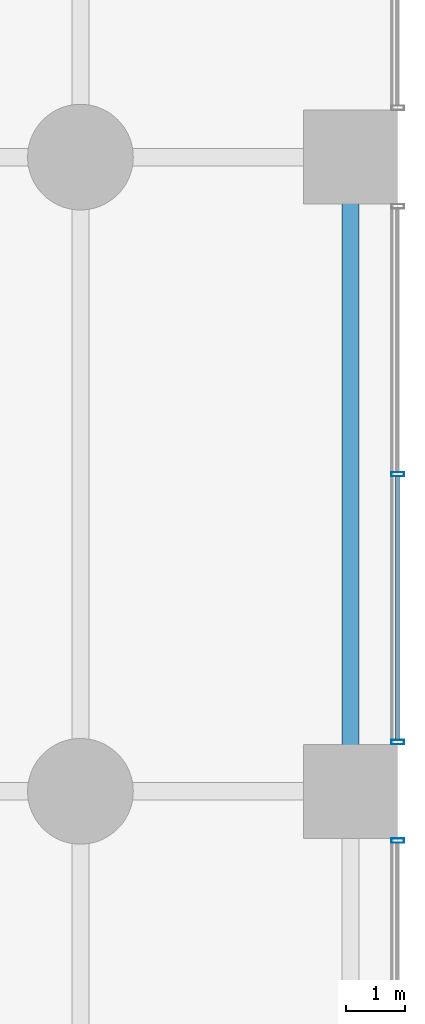
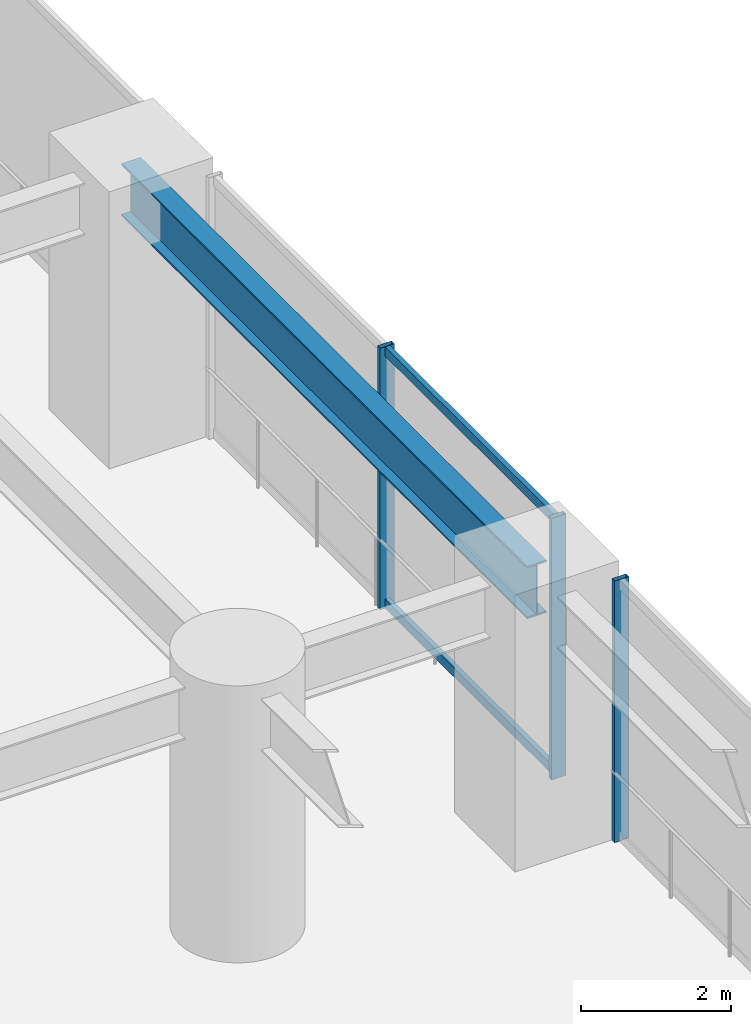
# One storey, part 22 of 36: 5 members, 1 beam, 2 elements without a shape of their own.
"""IFC4 building model written with IfcOpenShell, lengths in metres."""

from ifc_helpers import new_model, si_unit, direction, frame, origin, origin_2d, place, context, subcontext, project, spatial, hollow_rectangle, i_section, extrude, material, layer, layer_set, material_profile, profile_set, type_object, element, aggregate, save


model = new_model("IFC4")

# Units and contexts
model_context = context("Model", 3, precision=1e-05, world=origin(), true_north=direction((0.0, 1.0)))
body_context = subcontext(model_context, "Body", "Model", "MODEL_VIEW")
ifc_project = project(units=[si_unit("LENGTHUNIT", "METRE"), si_unit("AREAUNIT", "SQUARE_METRE"), si_unit("VOLUMEUNIT", "CUBIC_METRE"), si_unit("PLANEANGLEUNIT", "RADIAN"), si_unit("MASSUNIT", "GRAM", prefix="KILO")], contexts=[model_context])

# Site, building, storey
site_placement = place(None, origin())
site = spatial("IfcSite", under=ifc_project, at=site_placement, CompositionType="ELEMENT")
building_placement = place(site_placement, origin())
building = spatial("IfcBuilding", under=site, at=building_placement, Name="Surkhivell Harbour Commons", CompositionType="ELEMENT")
storey_placement = place(building_placement, frame((0.0, 0.0, 9.0)))
storey = spatial("IfcBuildingStorey", under=building, at=storey_placement, Name="L02", CompositionType="ELEMENT", Elevation=9.0)

# Beam
ifc_material_1 = material(Name="Steel S460", Category="steel")
ifc_material_profile_1 = material_profile(ifc_material_1, i_section(OverallWidth=0.2939453125, OverallDepth=0.85107421875, WebThickness=0.01611328125, FlangeThickness=0.02685546875, at=origin_2d()), Name="UB838x292x226")
ifc_profile_set_1 = profile_set([ifc_material_profile_1], Name="Steel S460")
beam_type = type_object("IfcBeamType", Name="BM-SPN-838", PredefinedType="SPANDREL", material=ifc_profile_set_1)
beam_placement = place(storey_placement, frame((37.0, 0.0, 3.824462890625), z_axis=(0.0, 1.0, 0.0), x_axis=(-1.0, 0.0, 0.0)))
element("IfcBeam", 1, at=beam_placement, inside=storey, type_object=beam_type, Name="L02 Framing Beam (37.0,0.0)", PredefinedType="SPANDREL", context=body_context, shape_type="SweptSolid", body=[
    extrude(i_section(OverallWidth=0.2939453125, OverallDepth=0.85107421875, WebThickness=0.01611328125, FlangeThickness=0.02685546875, at=origin_2d()), origin(), (0.0, 0.0, 1.0), 10.800048828125),
])

# Curtain wall, member
ifc_material_2 = material(Name="Anodised pale-metal aluminium and insulated glazing", Category="aluminium")
ifc_layer = layer(ifc_material_2, 0.239990234375)
ifc_layer_set = layer_set([ifc_layer], Name="Anodised pale-metal aluminium and insulated glazing")
curtain_wall_type = type_object("IfcCurtainWallType", Name="CW-SYS-POD", PredefinedType="NOTDEFINED", material=ifc_layer_set)
curtain_wall_1_placement = place(storey_placement, origin())
curtain_wall_1 = element("IfcCurtainWall", 2, at=curtain_wall_1_placement, inside=storey, type_object=curtain_wall_type, Name="L02 Curtain Wall CW-L02-E3", PredefinedType="NOTDEFINED")
ifc_material_3 = material(Name="Anodised pale-metal aluminium alloy 6063-T6", Category="aluminium")
ifc_material_profile_2 = material_profile(ifc_material_3, hollow_rectangle(XDim=0.074951171875, YDim=0.219970703125, WallThickness=0.00390625, at=origin_2d()), Name="ALU-MULL-75x220")
ifc_profile_set_2 = profile_set([ifc_material_profile_2], Name="Anodised pale-metal aluminium alloy 6063-T6")
member_type_1 = type_object("IfcMemberType", Name="CWM-220", PredefinedType="MULLION", material=ifc_profile_set_2)
member_1_placement = place(storey_placement, frame((37.800048828125, -0.839599609375, 0.0), z_axis=(0.0, 0.0, 1.0), x_axis=(0.0, -1.0, 0.0)))
member_1 = element("IfcMember", 3, at=member_1_placement, type_object=member_type_1, Name="CW-POD mullion 1", PredefinedType="MULLION", context=body_context, shape_type="SweptSolid", body=[
    extrude(hollow_rectangle(XDim=0.074951171875, YDim=0.219970703125, WallThickness=0.00390625, at=origin_2d()), origin(), (0.0, 0.0, 1.0), 4.25),
])
aggregate(curtain_wall_1, [member_1])

# Curtain wall, members
curtain_wall_2_placement = place(storey_placement, origin())
curtain_wall_2 = element("IfcCurtainWall", 4, at=curtain_wall_2_placement, inside=storey, type_object=curtain_wall_type, Name="L02 Curtain Wall CW-L02-E4", PredefinedType="NOTDEFINED")
member_2_placement = place(storey_placement, frame((37.800048828125, 5.39990234375, 0.0), z_axis=(0.0, 0.0, 1.0), x_axis=(0.0, -1.0, 0.0)))
member_2 = element("IfcMember", 5, at=member_2_placement, type_object=member_type_1, Name="CW-POD mullion 2", PredefinedType="MULLION", context=body_context, shape_type="SweptSolid", body=[
    extrude(hollow_rectangle(XDim=0.074951171875, YDim=0.219970703125, WallThickness=0.00390625, at=origin_2d()), origin(), (0.0, 0.0, 1.0), 4.25),
])
member_3_placement = place(storey_placement, frame((37.800048828125, 0.839599609375, 0.0), z_axis=(0.0, 0.0, 1.0), x_axis=(0.0, -1.0, 0.0)))
member_3 = element("IfcMember", 6, at=member_3_placement, type_object=member_type_1, Name="CW-POD mullion 3", PredefinedType="MULLION", context=body_context, shape_type="SweptSolid", body=[
    extrude(hollow_rectangle(XDim=0.074951171875, YDim=0.219970703125, WallThickness=0.00390625, at=origin_2d()), origin(), (0.0, 0.0, 1.0), 4.25),
])
ifc_material_profile_3 = material_profile(ifc_material_3, hollow_rectangle(XDim=0.074951171875, YDim=0.14990234375, WallThickness=0.00341796875, at=origin_2d()), Name="ALU-TRAN-75x150")
ifc_profile_set_3 = profile_set([ifc_material_profile_3], Name="Anodised pale-metal aluminium alloy 6063-T6")
member_type_2 = type_object("IfcMemberType", Name="CWT-150", PredefinedType="USERDEFINED", material=ifc_profile_set_3)
member_4_placement = place(storey_placement, frame((37.800048828125, 5.362548828125, 0.074951171875), z_axis=(0.0, -1.0, 0.0), x_axis=(1.0, 0.0, 0.0)))
member_4 = element("IfcMember", 7, at=member_4_placement, type_object=member_type_2, Name="CW-POD transom 2.1", ObjectType="TRANSOM", PredefinedType="USERDEFINED", context=body_context, shape_type="SweptSolid", body=[
    extrude(hollow_rectangle(XDim=0.074951171875, YDim=0.14990234375, WallThickness=0.00341796875, at=origin_2d()), origin(), (0.0, 0.0, 1.0), 4.485595703125),
])
member_5_placement = place(storey_placement, frame((37.800048828125, 5.362548828125, 4.175048828125), z_axis=(0.0, -1.0, 0.0), x_axis=(1.0, 0.0, 0.0)))
member_5 = element("IfcMember", 8, at=member_5_placement, type_object=member_type_2, Name="CW-POD transom 2.2", ObjectType="TRANSOM", PredefinedType="USERDEFINED", context=body_context, shape_type="SweptSolid", body=[
    extrude(hollow_rectangle(XDim=0.074951171875, YDim=0.14990234375, WallThickness=0.00341796875, at=origin_2d()), origin(), (0.0, 0.0, 1.0), 4.485595703125),
])
aggregate(curtain_wall_2, [member_2, member_3, member_4, member_5])

save(model, "model.ifc")
